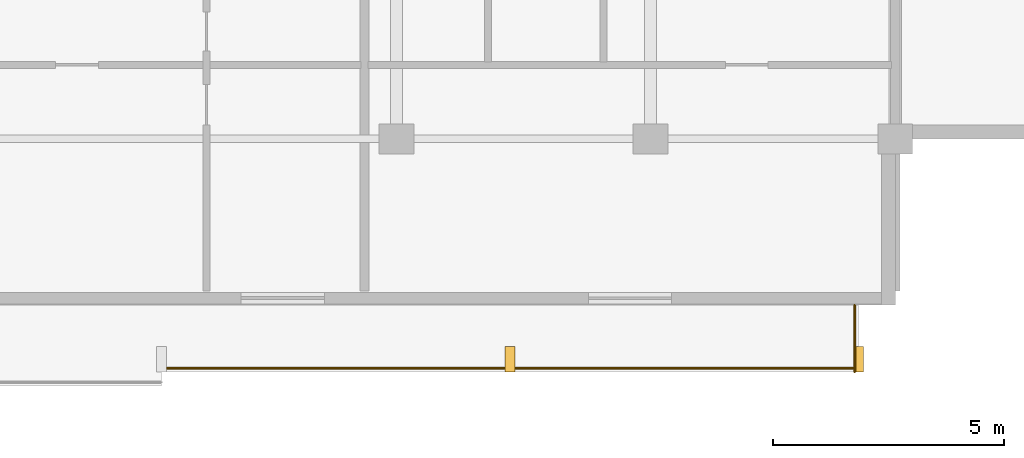
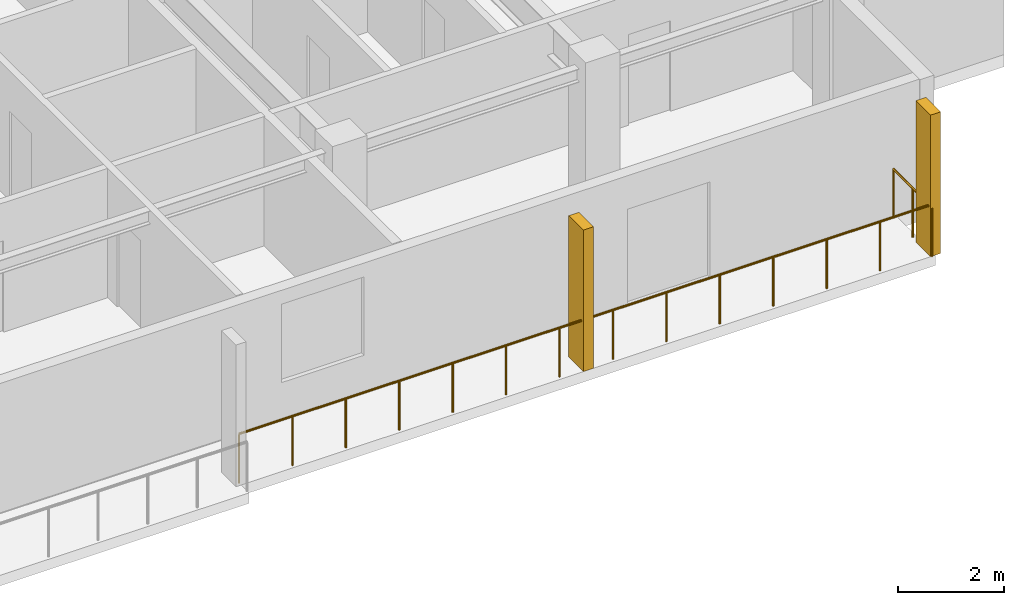
# One storey, part 20 of 22: 2 railings, 2 shading devices.
"""IFC4 building model written with IfcOpenShell, lengths in metres."""

from ifc_helpers import new_model, si_unit, direction, frame, origin, origin_2d, place, context, subcontext, project, spatial, rectangle, circle, extrude, material, type_object, element, save


model = new_model("IFC4")

# Units and contexts
model_context = context("Model", 3, precision=1e-05, world=origin(), true_north=direction((0.0, 1.0)))
body_context = subcontext(model_context, "Body", "Model", "MODEL_VIEW")
ifc_project = project(units=[si_unit("LENGTHUNIT", "METRE"), si_unit("AREAUNIT", "SQUARE_METRE"), si_unit("VOLUMEUNIT", "CUBIC_METRE"), si_unit("PLANEANGLEUNIT", "RADIAN"), si_unit("MASSUNIT", "GRAM", prefix="KILO")], contexts=[model_context])

# Site, building, storey
site_placement = place(None, origin())
site = spatial("IfcSite", under=ifc_project, at=site_placement, CompositionType="ELEMENT")
building_placement = place(site_placement, origin())
building = spatial("IfcBuilding", under=site, at=building_placement, Name="Korimba Cascade Residences", CompositionType="ELEMENT")
storey_placement = place(building_placement, frame((0.0, 0.0, 181.60009765625)))
storey = spatial("IfcBuildingStorey", under=building, at=storey_placement, Name="L52", CompositionType="ELEMENT", Elevation=181.60009765625)

# Railings
ifc_material_1 = material(Name="Laminated Glass and Bronze Balustrade", Category="glass")
railing_type = type_object("IfcRailingType", Name="RLG-LOG-1150", PredefinedType="BALUSTRADE", material=ifc_material_1)
railing_1_placement = place(storey_placement, frame((113.014404296875, -9.169921875, 0.0)))
element("IfcRailing", 1, at=railing_1_placement, inside=storey, type_object=railing_type, Name="L52 Perimeter Guardrail RLG-L52-T2-LOG-06", PredefinedType="BALUSTRADE", context=body_context, shape_type="SweptSolid", body=[
    extrude(circle(Radius=0.02392578125, at=origin_2d()), frame((0.0, 0.0, 1.1259765625), z_axis=(1.0, 0.0, 0.0), x_axis=(0.0, 1.0, 0.0)), (0.0, 0.0, 1.0), 15.085693359375),
    extrude(circle(Radius=0.02099609375, at=origin_2d()), origin(), (0.0, 0.0, 1.0), 1.101806640625),
    extrude(circle(Radius=0.02099609375, at=origin_2d()), frame((1.160400390625, 0.0, 0.0)), (0.0, 0.0, 1.0), 1.101806640625),
    extrude(circle(Radius=0.02099609375, at=origin_2d()), frame((2.32080078125, 0.0, 0.0)), (0.0, 0.0, 1.0), 1.101806640625),
    extrude(circle(Radius=0.02099609375, at=origin_2d()), frame((3.481201171875, 0.0, 0.0)), (0.0, 0.0, 1.0), 1.101806640625),
    extrude(circle(Radius=0.02099609375, at=origin_2d()), frame((4.641845703125, 0.0, 0.0)), (0.0, 0.0, 1.0), 1.101806640625),
    extrude(circle(Radius=0.02099609375, at=origin_2d()), frame((5.80224609375, 0.0, 0.0)), (0.0, 0.0, 1.0), 1.101806640625),
    extrude(circle(Radius=0.02099609375, at=origin_2d()), frame((6.962646484375, 0.0, 0.0)), (0.0, 0.0, 1.0), 1.101806640625),
    extrude(circle(Radius=0.02099609375, at=origin_2d()), frame((8.123046875, 0.0, 0.0)), (0.0, 0.0, 1.0), 1.101806640625),
    extrude(circle(Radius=0.02099609375, at=origin_2d()), frame((9.283447265625, 0.0, 0.0)), (0.0, 0.0, 1.0), 1.101806640625),
    extrude(circle(Radius=0.02099609375, at=origin_2d()), frame((10.44384765625, 0.0, 0.0)), (0.0, 0.0, 1.0), 1.101806640625),
    extrude(circle(Radius=0.02099609375, at=origin_2d()), frame((11.6044921875, 0.0, 0.0)), (0.0, 0.0, 1.0), 1.101806640625),
    extrude(circle(Radius=0.02099609375, at=origin_2d()), frame((12.764892578125, 0.0, 0.0)), (0.0, 0.0, 1.0), 1.101806640625),
    extrude(circle(Radius=0.02099609375, at=origin_2d()), frame((13.92529296875, 0.0, 0.0)), (0.0, 0.0, 1.0), 1.101806640625),
    extrude(circle(Radius=0.02099609375, at=origin_2d()), frame((15.085693359375, 0.0, 0.0)), (0.0, 0.0, 1.0), 1.101806640625),
])
railing_2_placement = place(storey_placement, frame((128.02001953125, -9.25, 0.0)))
element("IfcRailing", 2, at=railing_2_placement, inside=storey, type_object=railing_type, Name="L52 Perimeter Guardrail RLG-L52-T2-LOG-07", PredefinedType="BALUSTRADE", context=body_context, shape_type="SweptSolid", body=[
    extrude(circle(Radius=0.02392578125, at=origin_2d()), frame((0.0, 0.0, 1.1259765625), z_axis=(0.0, 1.0, 0.0), x_axis=(-1.0, 0.0, 0.0)), (0.0, 0.0, 1.0), 1.449951171875),
    extrude(circle(Radius=0.02099609375, at=origin_2d()), origin(), (0.0, 0.0, 1.0), 1.101806640625),
    extrude(circle(Radius=0.02099609375, at=origin_2d()), frame((0.0, 0.72509765625, 0.0)), (0.0, 0.0, 1.0), 1.101806640625),
    extrude(circle(Radius=0.02099609375, at=origin_2d()), frame((0.0, 1.449951171875, 0.0)), (0.0, 0.0, 1.0), 1.101806640625),
])

# Shading devices
ifc_material_2 = material(Name="Honed Sandstone Precast Fin", Category="masonry")
shading_device_type = type_object("IfcShadingDeviceType", Name="SHD-FIN-550", PredefinedType="USERDEFINED", material=ifc_material_2)
for number, where, z_axis, x_axis, name in (
    (3, (120.55712890625, -8.97509765625, 0.0), (0.0, 0.0, 1.0), (1.0, 0.0, 0.0), "L52 T2 Warm-Stone Loggia Fin 7"),
    (4, (128.10009765625, -8.97509765625, 0.0), (0.0, 0.0, 1.0), (1.0, 0.0, 0.0), "L52 T2 Warm-Stone Loggia Fin 8"),
):
    element("IfcShadingDevice", number, at=place(storey_placement, frame(where, z_axis=z_axis, x_axis=x_axis)), inside=storey, type_object=shading_device_type, Name=name, ObjectType="FIN", PredefinedType="USERDEFINED", context=body_context, shape_type="SweptSolid", body=[
        extrude(rectangle(XDim=0.219970703125, YDim=0.550048828125, at=origin_2d()), origin(), (0.0, 0.0, 1.0), 3.25),
    ])

save(model, "model.ifc")
